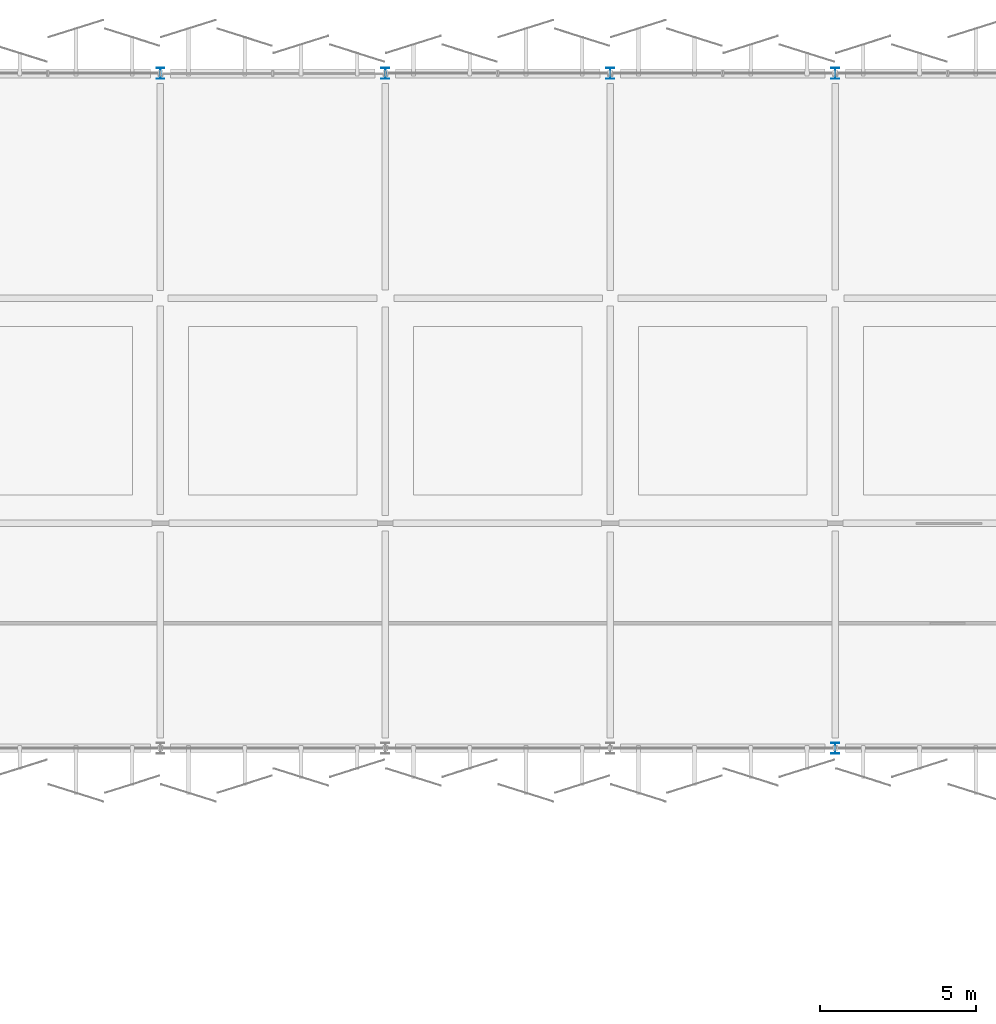
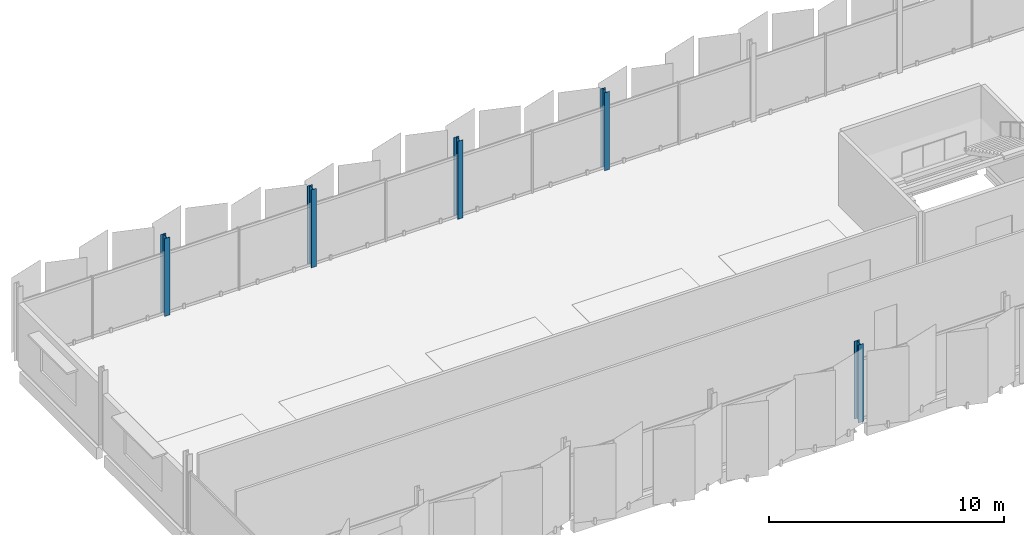
# One storey, part 3 of 91: 5 columns.
"""IFC4 building model written with IfcOpenShell, lengths in metres."""

from ifc_helpers import new_model, si_unit, direction, frame, origin, origin_2d, place, context, subcontext, project, spatial, i_section, extrude, material, material_profile, profile_set, type_object, element, save


model = new_model("IFC4")

# Units and contexts
model_context = context("Model", 3, precision=1e-05, world=origin(), true_north=direction((0.0, 1.0)))
body_context = subcontext(model_context, "Body", "Model", "MODEL_VIEW")
ifc_project = project(units=[si_unit("LENGTHUNIT", "METRE"), si_unit("AREAUNIT", "SQUARE_METRE"), si_unit("VOLUMEUNIT", "CUBIC_METRE"), si_unit("PLANEANGLEUNIT", "RADIAN"), si_unit("MASSUNIT", "GRAM", prefix="KILO")], contexts=[model_context])

# Site, building, storey
site_placement = place(None, origin())
site = spatial("IfcSite", under=ifc_project, at=site_placement, CompositionType="ELEMENT")
building_placement = place(site_placement, origin())
building = spatial("IfcBuilding", under=site, at=building_placement, Name="Kangsadwip Square Police Headquarters", CompositionType="ELEMENT")
storey_placement = place(building_placement, frame((0.0, 0.0, 13.5)))
storey = spatial("IfcBuildingStorey", under=building, at=storey_placement, Name="L03", CompositionType="ELEMENT", Elevation=13.5)

# Columns
ifc_material = material(Name="Structural steel IS 2062 E350 (Grade 350, 350 MPa)", Category="steel")
ifc_material_profile = material_profile(ifc_material, i_section(OverallWidth=0.25, OverallDepth=0.35009765625, WebThickness=0.010009765625, FlangeThickness=0.01171875, at=origin_2d()), Name="ISHB 350")
ifc_profile_set = profile_set([ifc_material_profile], Name="Structural steel IS 2062 E350 (Grade 350, 350 MPa)")
column_type = type_object("IfcColumnType", Name="SteelColIshb350", PredefinedType="COLUMN", material=ifc_profile_set)
for number, where, z_axis, x_axis, name in (
    (1, (100.800048828125, 115.199951171875, 0.0), (0.0, 0.0, 1.0), (1.0, 0.0, 0.0), "Column COL-L03-14-16"),
    (2, (108.0, 115.199951171875, 0.0), (0.0, 0.0, 1.0), (1.0, 0.0, 0.0), "Column COL-L03-15-16"),
    (3, (115.199951171875, 115.199951171875, 0.0), (0.0, 0.0, 1.0), (1.0, 0.0, 0.0), "Column COL-L03-16-16"),
    (4, (122.39990234375, 93.60009765625, 0.0), (0.0, 0.0, 1.0), (1.0, 0.0, 0.0), "Column COL-L03-17-13"),
    (5, (122.39990234375, 115.199951171875, 0.0), (0.0, 0.0, 1.0), (1.0, 0.0, 0.0), "Column COL-L03-17-16"),
):
    element("IfcColumn", number, at=place(storey_placement, frame(where, z_axis=z_axis, x_axis=x_axis)), inside=storey, type_object=column_type, Name=name, PredefinedType="COLUMN", context=body_context, shape_type="SweptSolid", body=[
        extrude(i_section(OverallWidth=0.25, OverallDepth=0.35009765625, WebThickness=0.010009765625, FlangeThickness=0.01171875, at=origin_2d()), origin(), (0.0, 0.0, 1.0), 4.050048828125),
    ])

save(model, "model.ifc")
